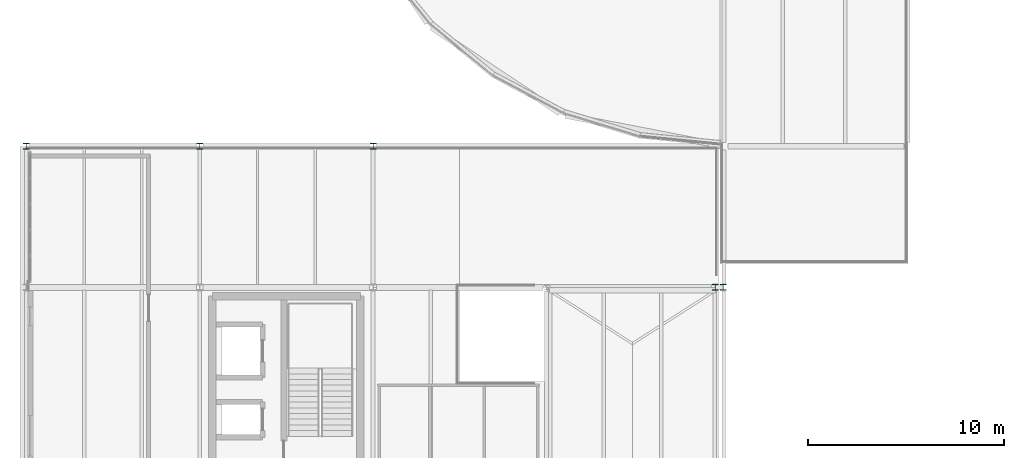
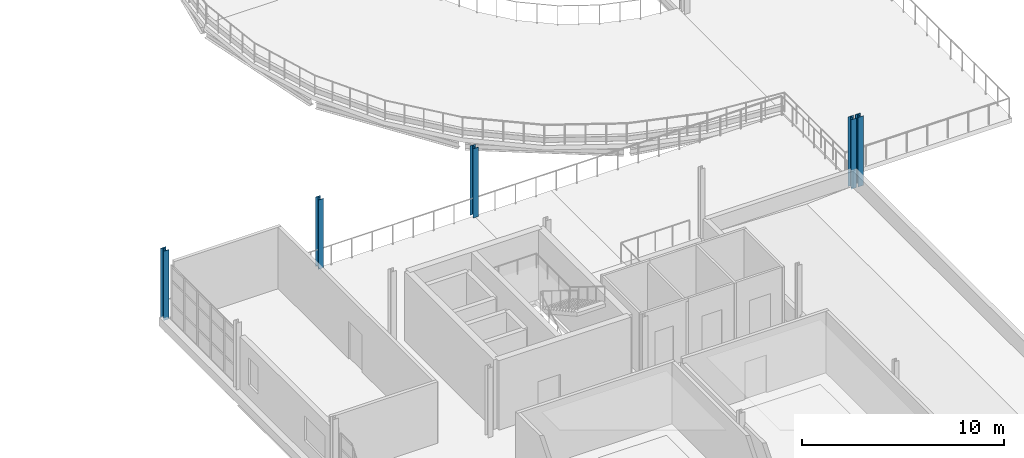
# One storey, part 3 of 58: 5 columns.
"""IFC4 building model written with IfcOpenShell, lengths in metres."""

from ifc_helpers import new_model, si_unit, direction, frame, origin, origin_2d, place, context, subcontext, project, spatial, i_section, extrude, material, material_profile, profile_set, type_object, element, save


model = new_model("IFC4")

# Units and contexts
model_context = context("Model", 3, precision=1e-05, world=origin(), true_north=direction((0.0, 1.0)))
body_context = subcontext(model_context, "Body", "Model", "MODEL_VIEW")
ifc_project = project(units=[si_unit("LENGTHUNIT", "METRE"), si_unit("AREAUNIT", "SQUARE_METRE"), si_unit("VOLUMEUNIT", "CUBIC_METRE"), si_unit("PLANEANGLEUNIT", "RADIAN"), si_unit("MASSUNIT", "GRAM", prefix="KILO")], contexts=[model_context])

# Site, building, storey
site_placement = place(None, origin())
site = spatial("IfcSite", under=ifc_project, at=site_placement, CompositionType="ELEMENT")
building_placement = place(site_placement, origin())
building = spatial("IfcBuilding", under=site, at=building_placement, Name="Yeouljin Market Hall", CompositionType="ELEMENT")
storey_placement = place(building_placement, frame((0.0, 0.0, 10.800048828125)))
storey = spatial("IfcBuildingStorey", under=building, at=storey_placement, Name="L02", CompositionType="ELEMENT", Elevation=10.800048828125)

# Columns
ifc_material = material(Name="Steel SM355", Category="steel")
ifc_material_profile = material_profile(ifc_material, i_section(OverallWidth=0.300048828125, OverallDepth=0.300048828125, WebThickness=0.010009765625, FlangeThickness=0.014892578125, FilletRadius=0.01806640625, at=origin_2d()), Name="H-300x300x10x15")
ifc_profile_set = profile_set([ifc_material_profile], Name="Steel SM355")
column_type = type_object("IfcColumnType", Name="Col_H-300x300x10x15", PredefinedType="COLUMN", material=ifc_profile_set)
for number, where, z_axis, x_axis, name in (
    (1, (0.0, 36.0, 0.0), (0.0, 0.0, 1.0), (1.0, 0.0, 0.0), "Column G-00-04 (L02)"),
    (2, (8.85009765625, 36.0, 0.0), (0.0, 0.0, 1.0), (1.0, 0.0, 0.0), "Column G-01-04 (L02)"),
    (3, (17.699951171875, 36.0, 0.0), (0.0, 0.0, 1.0), (1.0, 0.0, 0.0), "Column G-02-04 (L02)"),
    (4, (35.155029296875, 28.800048828125, 0.0), (0.0, 0.0, 1.0), (1.0, 0.0, 0.0), "Column G-04-03 (L02)"),
    (5, (35.56494140625, 28.800048828125, 0.0), (0.0, 0.0, 1.0), (1.0, 0.0, 0.0), "Column G-05-03 (L02)"),
):
    element("IfcColumn", number, at=place(storey_placement, frame(where, z_axis=z_axis, x_axis=x_axis)), inside=storey, type_object=column_type, Name=name, PredefinedType="COLUMN", context=body_context, shape_type="SweptSolid", body=[
        extrude(i_section(OverallWidth=0.300048828125, OverallDepth=0.300048828125, WebThickness=0.010009765625, FlangeThickness=0.014892578125, FilletRadius=0.01806640625, at=origin_2d()), origin(), (0.0, 0.0, 1.0), 4.199951171875),
    ])

save(model, "model.ifc")
